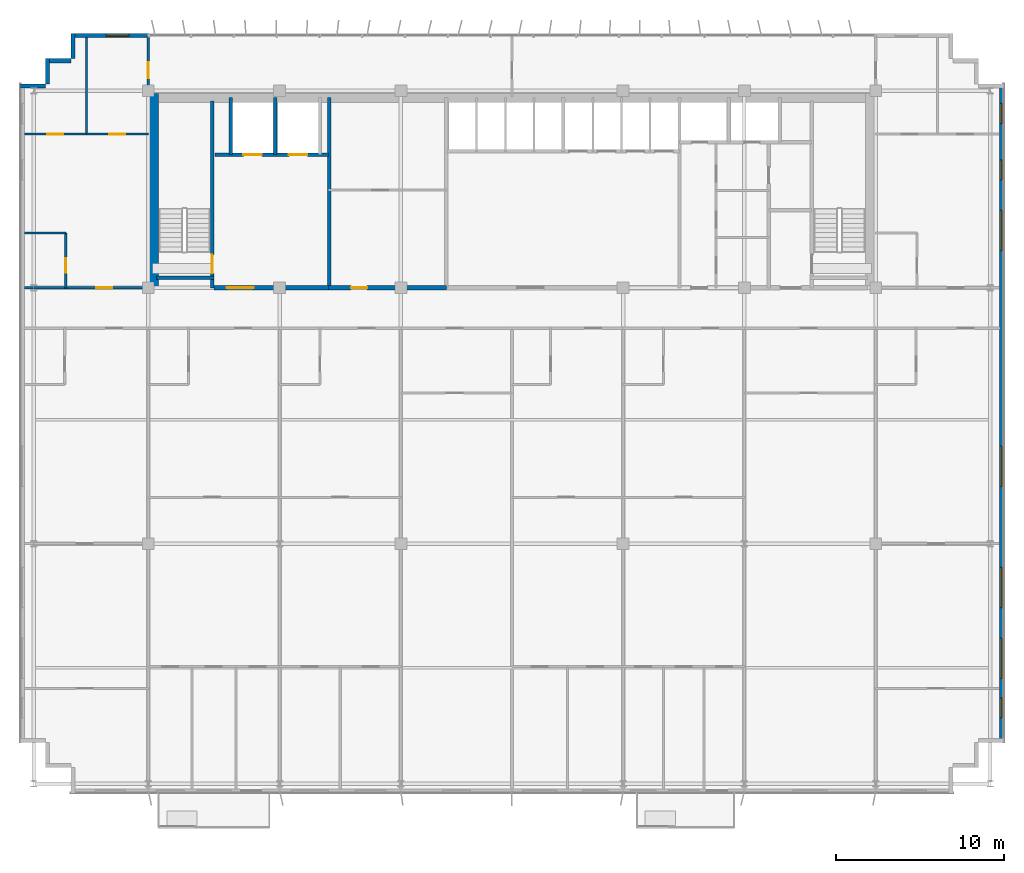
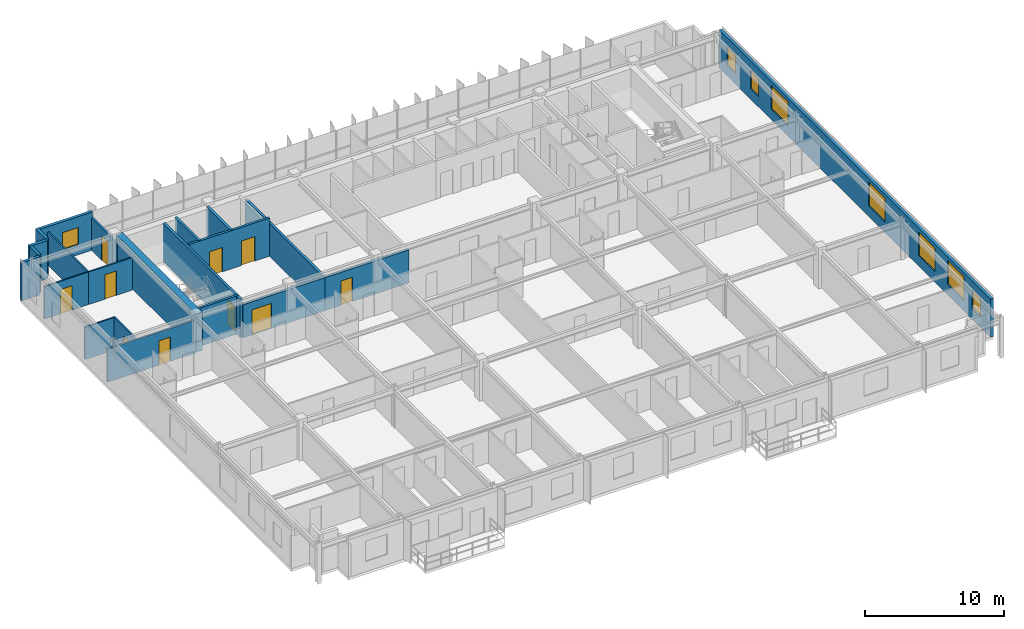
# One storey, part 19 of 23: 22 walls, 10 doors, 8 windows, 18 openings.
"""IFC4 building model written with IfcOpenShell, lengths in metres."""

from ifc_helpers import new_model, si_unit, direction, frame, frame_2d, origin, place, context, subcontext, project, spatial, rectangle, extrude, source, transform, mapped, material, layer, layer_set, type_object, element, fill, save


model = new_model("IFC4")

# Units and contexts
model_context = context("Model", 3, precision=1e-05, world=origin(), true_north=direction((0.0, 1.0)))
body_context = subcontext(model_context, "Body", "Model", "MODEL_VIEW")
ifc_project = project(units=[si_unit("LENGTHUNIT", "METRE"), si_unit("AREAUNIT", "SQUARE_METRE"), si_unit("VOLUMEUNIT", "CUBIC_METRE"), si_unit("PLANEANGLEUNIT", "RADIAN"), si_unit("MASSUNIT", "GRAM", prefix="KILO")], contexts=[model_context])

# Site, building, storey
site_placement = place(None, origin())
site = spatial("IfcSite", under=ifc_project, at=site_placement, CompositionType="ELEMENT")
building_placement = place(site_placement, origin())
building = spatial("IfcBuilding", under=site, at=building_placement, Name="Trelvane Seafront Commons", CompositionType="ELEMENT")
storey_placement = place(building_placement, frame((0.0, 0.0, 219.300048828125)))
storey = spatial("IfcBuildingStorey", under=building, at=storey_placement, Name="L57", CompositionType="ELEMENT", Elevation=219.300048828125)

# Wall, opening, window
ifc_material_1 = material(Name="Precast concrete C40/50", Category="concrete")
ifc_layer_1 = layer(ifc_material_1, 0.239990234375, Name="ARCH-WALL-EXT240")
ifc_layer_set_1 = layer_set([ifc_layer_1], Name="Precast concrete C40/50")
wall_type_1 = type_object("IfcWallType", Name="ARCH-WALL-EXT240", PredefinedType="SOLIDWALL", material=ifc_layer_set_1)
wall_1_placement = place(storey_placement, frame((11.10009765625, 48.3701171875, 0.0), z_axis=(0.0, 0.0, 1.0), x_axis=(1.0, 0.0, 0.0)))
wall_1 = element("IfcWall", 1, at=wall_1_placement, inside=storey, type_object=wall_type_1, Name="EW-L57-NW-1141", PredefinedType="SOLIDWALL", context=body_context, shape_type="SweptSolid", body=[
    extrude(rectangle(XDim=4.5, YDim=0.239990234375, at=frame_2d((2.25, 0.0))), origin(), (0.0, 0.0, 1.0), 3.35986328125),
])
opening_1_placement = place(wall_1_placement, frame((2.0029296875, 0.0, 0.89990234375)))
opening_1 = element("IfcOpeningElement", 2, at=opening_1_placement, cuts=wall_1, Name="Opening W09", PredefinedType="OPENING", context=body_context, shape_type="SweptSolid", body=[
    extrude(rectangle(XDim=1.35009765625, YDim=1.5, at=frame_2d((0.675048828125, 0.75))), frame((0.0, 0.1298828125, 0.0), z_axis=(0.0, -1.0, 0.0), x_axis=(1.0, 0.0, 0.0)), (0.0, 0.0, 1.0), 0.260009765625),
])
ifc_material_2 = material(Name="Low-E coastal double glazing", Category="glass")
window_type_1 = type_object("IfcWindowType", Name="ARCH-WIN-W09", PartitioningType="SINGLE_PANEL", PredefinedType="WINDOW", material=ifc_material_2)
shared_shape_1 = source(origin(), body_context, "Body", "SweptSolid", [
    extrude(rectangle(XDim=1.35009765625, YDim=1.5, at=frame_2d((0.675048828125, 0.75))), frame((0.0, 0.030029296875, 0.0), z_axis=(0.0, -1.0, 0.0), x_axis=(1.0, 0.0, 0.0)), (0.0, 0.0, 1.0), 0.06005859375),
])
window_1_placement = place(opening_1_placement, origin())
window_1 = element("IfcWindow", 3, at=window_1_placement, inside=storey, type_object=window_type_1, Name="WIN-L57-01382", OverallHeight=1.5, OverallWidth=1.35009765625, PartitioningType="SINGLE_PANEL", PredefinedType="WINDOW", context=body_context, shape_type="MappedRepresentation", body=[
    mapped(shared_shape_1, transform((0.0, 0.0, 0.0), x_axis=(1.0, 0.0, 0.0), y_axis=(0.0, 1.0, 0.0), z_axis=(0.0, 0.0, 1.0), scale=1.0)),
])
fill(opening_1, window_1)

# Walls
for number, where, z_axis, x_axis, name in (
    (4, (8.0, 45.3798828125, 0.0), (0.0, 0.0, 1.0), (1.0, 0.0, 0.0), "EW-L57-01147"),
    (5, (9.6201171875, 45.5, 0.0), (0.0, 0.0, 1.0), (0.0, 1.0, 0.0), "EW-L57-01148"),
    (6, (9.5, 46.8798828125, 0.0), (0.0, 0.0, 1.0), (1.0, 0.0, 0.0), "EW-L57-01149"),
    (7, (11.1201171875, 47.0, 0.0), (0.0, 0.0, 1.0), (0.0, 1.0, 0.0), "EW-L57-01150"),
):
    element("IfcWall", number, at=place(storey_placement, frame(where, z_axis=z_axis, x_axis=x_axis)), inside=storey, type_object=wall_type_1, Name=name, PredefinedType="SOLIDWALL", context=body_context, shape_type="SweptSolid", body=[
        extrude(rectangle(XDim=1.5, YDim=0.239990234375, at=frame_2d((0.75, 0.0))), origin(), (0.0, 0.0, 1.0), 3.35986328125),
    ])

# Wall, openings, windows
wall_2_placement = place(storey_placement, frame((66.280029296875, 45.5, 0.0), z_axis=(0.0, 0.0, 1.0), x_axis=(0.0, -1.0, 0.0)))
wall_2 = element("IfcWall", 8, at=wall_2_placement, inside=storey, type_object=wall_type_1, Name="EW-L57-01155", PredefinedType="SOLIDWALL", context=body_context, shape_type="SweptSolid", body=[
    extrude(rectangle(XDim=39.10009765625, YDim=0.239990234375, at=frame_2d((19.550048828125, 0.0))), origin(), (0.0, 0.0, 1.0), 3.35986328125),
])
opening_2_placement = place(wall_2_placement, frame((36.449951171875, 0.0, 0.919921875)))
opening_2 = element("IfcOpeningElement", 9, at=opening_2_placement, cuts=wall_2, Name="Opening W05", PredefinedType="OPENING", context=body_context, shape_type="SweptSolid", body=[
    extrude(rectangle(XDim=1.199951171875, YDim=1.64990234375, at=frame_2d((0.60009765625, 0.824951171875))), frame((0.0, 0.1298828125, 0.0), z_axis=(0.0, -1.0, 0.0), x_axis=(1.0, 0.0, 0.0)), (0.0, 0.0, 1.0), 0.260009765625),
])
opening_3_placement = place(wall_2_placement, frame((32.89990234375, 0.0, 0.919921875)))
opening_3 = element("IfcOpeningElement", 10, at=opening_3_placement, cuts=wall_2, Name="Opening W08", PredefinedType="OPENING", context=body_context, shape_type="SweptSolid", body=[
    extrude(rectangle(XDim=2.39990234375, YDim=2.10009765625, at=frame_2d((1.199951171875, 1.050048828125))), frame((0.0, 0.1298828125, 0.0), z_axis=(0.0, -1.0, 0.0), x_axis=(1.0, 0.0, 0.0)), (0.0, 0.0, 1.0), 0.260009765625),
])
opening_4_placement = place(wall_2_placement, frame((28.699951171875, 0.0, 0.919921875)))
opening_4 = element("IfcOpeningElement", 11, at=opening_4_placement, cuts=wall_2, Name="Opening W08", PredefinedType="OPENING", context=body_context, shape_type="SweptSolid", body=[
    extrude(rectangle(XDim=2.39990234375, YDim=2.10009765625, at=frame_2d((1.199951171875, 1.050048828125))), frame((0.0, 0.1298828125, 0.0), z_axis=(0.0, -1.0, 0.0), x_axis=(1.0, 0.0, 0.0)), (0.0, 0.0, 1.0), 0.260009765625),
])
opening_5_placement = place(wall_2_placement, frame((21.5, 0.0, 0.919921875)))
opening_5 = element("IfcOpeningElement", 12, at=opening_5_placement, cuts=wall_2, Name="Opening W08", PredefinedType="OPENING", context=body_context, shape_type="SweptSolid", body=[
    extrude(rectangle(XDim=2.39990234375, YDim=2.10009765625, at=frame_2d((1.199951171875, 1.050048828125))), frame((0.0, 0.1298828125, 0.0), z_axis=(0.0, -1.0, 0.0), x_axis=(1.0, 0.0, 0.0)), (0.0, 0.0, 1.0), 0.260009765625),
])
opening_6_placement = place(wall_2_placement, frame((7.5, 0.0, 0.919921875)))
opening_6 = element("IfcOpeningElement", 13, at=opening_6_placement, cuts=wall_2, Name="Opening W08", PredefinedType="OPENING", context=body_context, shape_type="SweptSolid", body=[
    extrude(rectangle(XDim=2.39990234375, YDim=2.10009765625, at=frame_2d((1.199951171875, 1.050048828125))), frame((0.0, 0.1298828125, 0.0), z_axis=(0.0, -1.0, 0.0), x_axis=(1.0, 0.0, 0.0)), (0.0, 0.0, 1.0), 0.260009765625),
])
opening_7_placement = place(wall_2_placement, frame((4.5, 0.0, 0.919921875)))
opening_7 = element("IfcOpeningElement", 14, at=opening_7_placement, cuts=wall_2, Name="Opening W05", PredefinedType="OPENING", context=body_context, shape_type="SweptSolid", body=[
    extrude(rectangle(XDim=1.199951171875, YDim=1.64990234375, at=frame_2d((0.60009765625, 0.824951171875))), frame((0.0, 0.1298828125, 0.0), z_axis=(0.0, -1.0, 0.0), x_axis=(1.0, 0.0, 0.0)), (0.0, 0.0, 1.0), 0.260009765625),
])
opening_8_placement = place(wall_2_placement, frame((1.14990234375, 0.0, 0.919921875)))
opening_8 = element("IfcOpeningElement", 15, at=opening_8_placement, cuts=wall_2, Name="Opening W05", PredefinedType="OPENING", context=body_context, shape_type="SweptSolid", body=[
    extrude(rectangle(XDim=1.199951171875, YDim=1.64990234375, at=frame_2d((0.60009765625, 0.824951171875))), frame((0.0, 0.1298828125, 0.0), z_axis=(0.0, -1.0, 0.0), x_axis=(1.0, 0.0, 0.0)), (0.0, 0.0, 1.0), 0.260009765625),
])
window_type_2 = type_object("IfcWindowType", Name="ARCH-WIN-W08", PartitioningType="SINGLE_PANEL", PredefinedType="WINDOW", material=ifc_material_2)
shared_shape_2 = source(origin(), body_context, "Body", "SweptSolid", [
    extrude(rectangle(XDim=2.39990234375, YDim=2.10009765625, at=frame_2d((1.199951171875, 1.050048828125))), frame((0.0, 0.030029296875, 0.0), z_axis=(0.0, -1.0, 0.0), x_axis=(1.0, 0.0, 0.0)), (0.0, 0.0, 1.0), 0.06005859375),
])
window_2_placement = place(opening_3_placement, origin())
window_2 = element("IfcWindow", 16, at=window_2_placement, inside=storey, type_object=window_type_2, Name="WIN-L57-EW-01391", OverallHeight=2.10009765625, OverallWidth=2.39990234375, PartitioningType="SINGLE_PANEL", PredefinedType="WINDOW", context=body_context, shape_type="MappedRepresentation", body=[
    mapped(shared_shape_2, transform((0.0, 0.0, 0.0), x_axis=(1.0, 0.0, 0.0), y_axis=(0.0, 1.0, 0.0), z_axis=(0.0, 0.0, 1.0), scale=1.0)),
])
fill(opening_3, window_2)
window_3_placement = place(opening_4_placement, origin())
window_3 = element("IfcWindow", 17, at=window_3_placement, inside=storey, type_object=window_type_2, Name="WIN-L57-EW-01392", OverallHeight=2.10009765625, OverallWidth=2.39990234375, PartitioningType="SINGLE_PANEL", PredefinedType="WINDOW", context=body_context, shape_type="MappedRepresentation", body=[
    mapped(shared_shape_2, transform((0.0, 0.0, 0.0), x_axis=(1.0, 0.0, 0.0), y_axis=(0.0, 1.0, 0.0), z_axis=(0.0, 0.0, 1.0), scale=1.0)),
])
fill(opening_4, window_3)
window_4_placement = place(opening_5_placement, origin())
window_4 = element("IfcWindow", 18, at=window_4_placement, inside=storey, type_object=window_type_2, Name="WIN-L57-EW-01393", OverallHeight=2.10009765625, OverallWidth=2.39990234375, PartitioningType="SINGLE_PANEL", PredefinedType="WINDOW", context=body_context, shape_type="MappedRepresentation", body=[
    mapped(shared_shape_2, transform((0.0, 0.0, 0.0), x_axis=(1.0, 0.0, 0.0), y_axis=(0.0, 1.0, 0.0), z_axis=(0.0, 0.0, 1.0), scale=1.0)),
])
fill(opening_5, window_4)
window_5_placement = place(opening_6_placement, origin())
window_5 = element("IfcWindow", 19, at=window_5_placement, inside=storey, type_object=window_type_2, Name="WIN-L57-EW-01394", OverallHeight=2.10009765625, OverallWidth=2.39990234375, PartitioningType="SINGLE_PANEL", PredefinedType="WINDOW", context=body_context, shape_type="MappedRepresentation", body=[
    mapped(shared_shape_2, transform((0.0, 0.0, 0.0), x_axis=(1.0, 0.0, 0.0), y_axis=(0.0, 1.0, 0.0), z_axis=(0.0, 0.0, 1.0), scale=1.0)),
])
fill(opening_6, window_5)
window_type_3 = type_object("IfcWindowType", Name="ARCH-WIN-W05", PartitioningType="SINGLE_PANEL", PredefinedType="WINDOW", material=ifc_material_2)
shared_shape_3 = source(origin(), body_context, "Body", "SweptSolid", [
    extrude(rectangle(XDim=1.199951171875, YDim=1.64990234375, at=frame_2d((0.60009765625, 0.824951171875))), frame((0.0, 0.030029296875, 0.0), z_axis=(0.0, -1.0, 0.0), x_axis=(1.0, 0.0, 0.0)), (0.0, 0.0, 1.0), 0.06005859375),
])
window_6_placement = place(opening_2_placement, origin())
window_6 = element("IfcWindow", 20, at=window_6_placement, inside=storey, type_object=window_type_3, Name="WIN-L57-EW-01390", OverallHeight=1.64990234375, OverallWidth=1.199951171875, PartitioningType="SINGLE_PANEL", PredefinedType="WINDOW", context=body_context, shape_type="MappedRepresentation", body=[
    mapped(shared_shape_3, transform((0.0, 0.0, 0.0), x_axis=(1.0, 0.0, 0.0), y_axis=(0.0, 1.0, 0.0), z_axis=(0.0, 0.0, 1.0), scale=1.0)),
])
fill(opening_2, window_6)
window_7_placement = place(opening_7_placement, origin())
window_7 = element("IfcWindow", 21, at=window_7_placement, inside=storey, type_object=window_type_3, Name="WIN-L57-EW-01395", OverallHeight=1.64990234375, OverallWidth=1.199951171875, PartitioningType="SINGLE_PANEL", PredefinedType="WINDOW", context=body_context, shape_type="MappedRepresentation", body=[
    mapped(shared_shape_3, transform((0.0, 0.0, 0.0), x_axis=(1.0, 0.0, 0.0), y_axis=(0.0, 1.0, 0.0), z_axis=(0.0, 0.0, 1.0), scale=1.0)),
])
fill(opening_7, window_7)
window_8_placement = place(opening_8_placement, origin())
window_8 = element("IfcWindow", 22, at=window_8_placement, inside=storey, type_object=window_type_3, Name="WIN-L57-EW-01396", OverallHeight=1.64990234375, OverallWidth=1.199951171875, PartitioningType="SINGLE_PANEL", PredefinedType="WINDOW", context=body_context, shape_type="MappedRepresentation", body=[
    mapped(shared_shape_3, transform((0.0, 0.0, 0.0), x_axis=(1.0, 0.0, 0.0), y_axis=(0.0, 1.0, 0.0), z_axis=(0.0, 0.0, 1.0), scale=1.0)),
])
fill(opening_8, window_8)

# Wall, opening, door
ifc_material_3 = material(Name="Concrete C40/50", Category="concrete")
ifc_layer_2 = layer(ifc_material_3, 0.25, Name="ARCH-WALL-FIRE250")
ifc_layer_set_2 = layer_set([ifc_layer_2], Name="Concrete C40/50")
wall_type_2 = type_object("IfcWallType", Name="ARCH-WALL-FIRE250", PredefinedType="PARTITIONING", material=ifc_layer_set_2)
wall_3_placement = place(storey_placement, frame((19.5, 33.39990234375, 0.0), z_axis=(0.0, 0.0, 1.0), x_axis=(1.0, 0.0, 0.0)))
wall_3 = element("IfcWall", 23, at=wall_3_placement, inside=storey, type_object=wall_type_2, Name="W-L57-CS-FFL-013", PredefinedType="PARTITIONING", context=body_context, shape_type="SweptSolid", body=[
    extrude(rectangle(XDim=6.800048828125, YDim=0.25, at=frame_2d((3.39990234375, 0.0))), origin(), (0.0, 0.0, 1.0), 2.909912109375),
])
opening_9_placement = place(wall_3_placement, frame((0.75, 0.0, 0.0)))
opening_9 = element("IfcOpeningElement", 24, at=opening_9_placement, cuts=wall_3, Name="Opening FD-L57-05", PredefinedType="OPENING", context=body_context, shape_type="SweptSolid", body=[
    extrude(rectangle(XDim=1.60009765625, YDim=2.199951171875, at=frame_2d((0.800048828125, 1.10009765625))), frame((0.0, 0.135009765625, 0.0), z_axis=(0.0, -1.0, 0.0), x_axis=(1.0, 0.0, 0.0)), (0.0, 0.0, 1.0), 0.27001953125),
])
ifc_material_4 = material(Name="Powder-coated aluminium frame", Category="aluminium")
door_type_1 = type_object("IfcDoorType", Name="ARCH-DR-FD60-1600", OperationType="DOUBLE_DOOR_SINGLE_SWING", PredefinedType="DOOR", material=ifc_material_4)
shared_shape_4 = source(origin(), body_context, "Body", "SweptSolid", [
    extrude(rectangle(XDim=1.60009765625, YDim=2.199951171875, at=frame_2d((0.800048828125, 1.10009765625))), frame((0.0, 0.02490234375, 0.0), z_axis=(0.0, -1.0, 0.0), x_axis=(1.0, 0.0, 0.0)), (0.0, 0.0, 1.0), 0.050048828125),
])
door_1_placement = place(opening_9_placement, origin())
door_1 = element("IfcDoor", 25, at=door_1_placement, inside=storey, type_object=door_type_1, Name="L57 Firefighting Lift Lobby Double Fire Door", OperationType="DOUBLE_DOOR_SINGLE_SWING", OverallHeight=2.199951171875, OverallWidth=1.60009765625, PredefinedType="DOOR", context=body_context, shape_type="MappedRepresentation", body=[
    mapped(shared_shape_4, transform((0.0, 0.0, 0.0), x_axis=(1.0, 0.0, 0.0), y_axis=(0.0, 1.0, 0.0), z_axis=(0.0, 0.0, 1.0), scale=1.0)),
])
fill(opening_9, door_1)

wall_4_placement = place(storey_placement, frame((26.300048828125, 33.39990234375, 0.0), z_axis=(0.0, 0.0, 1.0), x_axis=(1.0, 0.0, 0.0)))
wall_4 = element("IfcWall", 26, at=wall_4_placement, inside=storey, type_object=wall_type_2, Name="W-L57-CS-FPL-026", PredefinedType="PARTITIONING", context=body_context, shape_type="SweptSolid", body=[
    extrude(rectangle(XDim=7.0, YDim=0.25, at=frame_2d((3.5, 0.0))), origin(), (0.0, 0.0, 1.0), 2.909912109375),
])
opening_10_placement = place(wall_4_placement, frame((1.35009765625, 0.0, 0.0)))
opening_10 = element("IfcOpeningElement", 27, at=opening_10_placement, cuts=wall_4, Name="Opening D-L57-11", PredefinedType="OPENING", context=body_context, shape_type="SweptSolid", body=[
    extrude(rectangle(XDim=0.949951171875, YDim=2.14990234375, at=frame_2d((0.47509765625, 1.074951171875))), frame((0.0, 0.135009765625, 0.0), z_axis=(0.0, -1.0, 0.0), x_axis=(1.0, 0.0, 0.0)), (0.0, 0.0, 1.0), 0.27001953125),
])
ifc_material_5 = material(Name="Acoustic timber door leaf", Category="wood")
door_type_2 = type_object("IfcDoorType", Name="ARCH-DR-INT950", OperationType="NOTDEFINED", PredefinedType="DOOR", material=ifc_material_5)
shared_shape_5 = source(origin(), body_context, "Body", "SweptSolid", [
    extrude(rectangle(XDim=0.949951171875, YDim=2.14990234375, at=frame_2d((0.47509765625, 1.074951171875))), frame((0.0, 0.02490234375, 0.0), z_axis=(0.0, -1.0, 0.0), x_axis=(1.0, 0.0, 0.0)), (0.0, 0.0, 1.0), 0.050048828125),
])
door_2_placement = place(opening_10_placement, origin())
door_2 = element("IfcDoor", 28, at=door_2_placement, inside=storey, type_object=door_type_2, Name="L57 Floor Pantry Entrance Door", OperationType="SINGLE_SWING_LEFT", OverallHeight=2.14990234375, OverallWidth=0.949951171875, PredefinedType="DOOR", context=body_context, shape_type="MappedRepresentation", body=[
    mapped(shared_shape_5, transform((0.0, 0.0, 0.0), x_axis=(1.0, 0.0, 0.0), y_axis=(0.0, 1.0, 0.0), z_axis=(0.0, 0.0, 1.0), scale=1.0)),
])
fill(opening_10, door_2)

ifc_material_6 = material(Name="Gypsum Drywall Acoustic Partition")
ifc_layer_3 = layer(ifc_material_6, 0.1201171875, Name="ARCH-WALL-PART120")
ifc_layer_set_3 = layer_set([ifc_layer_3], Name="Gypsum Drywall Acoustic Partition")
wall_type_3 = type_object("IfcWallType", Name="ARCH-WALL-PART120", PredefinedType="PARTITIONING", material=ifc_layer_set_3)
wall_5_placement = place(storey_placement, frame((10.699951171875, 33.39990234375, 0.0), z_axis=(0.0, 0.0, 1.0), x_axis=(0.0, 1.0, 0.0)))
wall_5 = element("IfcWall", 29, at=wall_5_placement, inside=storey, type_object=wall_type_3, Name="W-L57-NW-BE-037", PredefinedType="PARTITIONING", context=body_context, shape_type="SweptSolid", body=[
    extrude(rectangle(XDim=3.25, YDim=0.1201171875, at=frame_2d((1.625, 0.0))), origin(), (0.0, 0.0, 1.0), 2.909912109375),
])
opening_11_placement = place(wall_5_placement, frame((0.89990234375, 0.0, 0.0)))
opening_11 = element("IfcOpeningElement", 30, at=opening_11_placement, cuts=wall_5, Name="Opening D-L57-21", PredefinedType="OPENING", context=body_context, shape_type="SweptSolid", body=[
    extrude(rectangle(XDim=0.85009765625, YDim=2.10009765625, at=frame_2d((0.425048828125, 1.050048828125))), frame((0.0, 0.070068359375, 0.0), z_axis=(0.0, -1.0, 0.0), x_axis=(1.0, 0.0, 0.0)), (0.0, 0.0, 1.0), 0.14013671875),
])
door_type_3 = type_object("IfcDoorType", Name="ARCH-DR-INT850", OperationType="NOTDEFINED", PredefinedType="DOOR", material=ifc_material_5)
shared_shape_6 = source(origin(), body_context, "Body", "SweptSolid", [
    extrude(rectangle(XDim=0.85009765625, YDim=2.10009765625, at=frame_2d((0.425048828125, 1.050048828125))), frame((0.0, 0.02490234375, 0.0), z_axis=(0.0, -1.0, 0.0), x_axis=(1.0, 0.0, 0.0)), (0.0, 0.0, 1.0), 0.050048828125),
])
door_3_placement = place(opening_11_placement, origin())
door_3 = element("IfcDoor", 31, at=door_3_placement, inside=storey, type_object=door_type_3, Name="L57 Door 21", OperationType="SINGLE_SWING_LEFT", OverallHeight=2.10009765625, OverallWidth=0.85009765625, PredefinedType="DOOR", context=body_context, shape_type="MappedRepresentation", body=[
    mapped(shared_shape_6, transform((0.0, 0.0, 0.0), x_axis=(1.0, 0.0, 0.0), y_axis=(0.0, 1.0, 0.0), z_axis=(0.0, 0.0, 1.0), scale=1.0)),
])
fill(opening_11, door_3)

# Wall
wall_6_placement = place(storey_placement, frame((8.25, 36.64990234375, 0.0), z_axis=(0.0, 0.0, 1.0), x_axis=(1.0, 0.0, 0.0)))
element("IfcWall", 32, at=wall_6_placement, inside=storey, type_object=wall_type_3, Name="W-L57-NW-BN-038", PredefinedType="PARTITIONING", context=body_context, shape_type="SweptSolid", body=[
    extrude(rectangle(XDim=2.449951171875, YDim=0.1201171875, at=frame_2d((1.22509765625, 0.0))), origin(), (0.0, 0.0, 1.0), 2.85986328125),
])

# Wall, opening, door
wall_7_placement = place(storey_placement, frame((8.25, 42.52001953125, 0.0), z_axis=(0.0, 0.0, 1.0), x_axis=(1.0, 0.0, 0.0)))
wall_7 = element("IfcWall", 33, at=wall_7_placement, inside=storey, type_object=wall_type_3, Name="W-L57-NW-KB1-039", PredefinedType="PARTITIONING", context=body_context, shape_type="SweptSolid", body=[
    extrude(rectangle(XDim=3.675048828125, YDim=0.1201171875, at=frame_2d((1.83740234375, 0.0))), origin(), (0.0, 0.0, 1.0), 2.85986328125),
])
opening_12_placement = place(wall_7_placement, frame((1.363037109375, 0.0, 0.0)))
opening_12 = element("IfcOpeningElement", 34, at=opening_12_placement, cuts=wall_7, Name="Opening D-L57-22", PredefinedType="OPENING", context=body_context, shape_type="SweptSolid", body=[
    extrude(rectangle(XDim=0.949951171875, YDim=2.14990234375, at=frame_2d((0.47509765625, 1.074951171875))), frame((0.0, 0.070068359375, 0.0), z_axis=(0.0, -1.0, 0.0), x_axis=(1.0, 0.0, 0.0)), (0.0, 0.0, 1.0), 0.14013671875),
])
door_4_placement = place(opening_12_placement, origin())
door_4 = element("IfcDoor", 35, at=door_4_placement, inside=storey, type_object=door_type_2, Name="L57 Door 22", OperationType="SINGLE_SWING_RIGHT", OverallHeight=2.14990234375, OverallWidth=0.949951171875, PredefinedType="DOOR", context=body_context, shape_type="MappedRepresentation", body=[
    mapped(shared_shape_5, transform((0.0, 0.0, 0.0), x_axis=(1.0, 0.0, 0.0), y_axis=(0.0, 1.0, 0.0), z_axis=(0.0, 0.0, 1.0), scale=1.0)),
])
fill(opening_12, door_4)

wall_8_placement = place(storey_placement, frame((11.925048828125, 42.52001953125, 0.0), z_axis=(0.0, 0.0, 1.0), x_axis=(1.0, 0.0, 0.0)))
wall_8 = element("IfcWall", 36, at=wall_8_placement, inside=storey, type_object=wall_type_3, Name="W-L57-NW-KB2-040", PredefinedType="PARTITIONING", context=body_context, shape_type="SweptSolid", body=[
    extrude(rectangle(XDim=3.675048828125, YDim=0.1201171875, at=frame_2d((1.83740234375, 0.0))), origin(), (0.0, 0.0, 1.0), 2.85986328125),
])
opening_13_placement = place(wall_8_placement, frame((1.362060546875, 0.0, 0.0)))
opening_13 = element("IfcOpeningElement", 37, at=opening_13_placement, cuts=wall_8, Name="Opening D-L57-23", PredefinedType="OPENING", context=body_context, shape_type="SweptSolid", body=[
    extrude(rectangle(XDim=0.949951171875, YDim=2.14990234375, at=frame_2d((0.47509765625, 1.074951171875))), frame((0.0, 0.070068359375, 0.0), z_axis=(0.0, -1.0, 0.0), x_axis=(1.0, 0.0, 0.0)), (0.0, 0.0, 1.0), 0.14013671875),
])
door_5_placement = place(opening_13_placement, origin())
door_5 = element("IfcDoor", 38, at=door_5_placement, inside=storey, type_object=door_type_2, Name="L57 Door 23", OperationType="SINGLE_SWING_LEFT", OverallHeight=2.14990234375, OverallWidth=0.949951171875, PredefinedType="DOOR", context=body_context, shape_type="MappedRepresentation", body=[
    mapped(shared_shape_5, transform((0.0, 0.0, 0.0), x_axis=(1.0, 0.0, 0.0), y_axis=(0.0, 1.0, 0.0), z_axis=(0.0, 0.0, 1.0), scale=1.0)),
])
fill(opening_13, door_5)

# Wall
wall_9_placement = place(storey_placement, frame((11.925048828125, 42.52001953125, 0.0), z_axis=(0.0, 0.0, 1.0), x_axis=(0.0, 1.0, 0.0)))
element("IfcWall", 39, at=wall_9_placement, inside=storey, type_object=wall_type_3, Name="W-L57-NW-KBDV-041", PredefinedType="PARTITIONING", context=body_context, shape_type="SweptSolid", body=[
    extrude(rectangle(XDim=5.739990234375, YDim=0.1201171875, at=frame_2d((2.8701171875, 0.0))), origin(), (0.0, 0.0, 1.0), 2.909912109375),
])

# Wall, opening, door
ifc_layer_4 = layer(ifc_material_6, 0.14990234375, Name="ARCH-WALL-PART150")
ifc_layer_set_4 = layer_set([ifc_layer_4], Name="Gypsum Drywall Acoustic Partition")
wall_type_4 = type_object("IfcWallType", Name="ARCH-WALL-PART150", PredefinedType="PARTITIONING", material=ifc_layer_set_4)
wall_10_placement = place(storey_placement, frame((8.25, 33.39990234375, 0.0), z_axis=(0.0, 0.0, 1.0), x_axis=(1.0, 0.0, 0.0)))
wall_10 = element("IfcWall", 40, at=wall_10_placement, inside=storey, type_object=wall_type_4, Name="W-L57-NW-ENT-042", PredefinedType="PARTITIONING", context=body_context, shape_type="SweptSolid", body=[
    extrude(rectangle(XDim=7.35009765625, YDim=0.14990234375, at=frame_2d((3.675048828125, 0.0))), origin(), (0.0, 0.0, 1.0), 2.909912109375),
])
opening_14_placement = place(wall_10_placement, frame((4.27490234375, 0.0, 0.0)))
opening_14 = element("IfcOpeningElement", 41, at=opening_14_placement, cuts=wall_10, Name="Opening FD-L57-24", PredefinedType="OPENING", context=body_context, shape_type="SweptSolid", body=[
    extrude(rectangle(XDim=0.949951171875, YDim=2.14990234375, at=frame_2d((0.47509765625, 1.074951171875))), frame((0.0, 0.0849609375, 0.0), z_axis=(0.0, -1.0, 0.0), x_axis=(1.0, 0.0, 0.0)), (0.0, 0.0, 1.0), 0.169921875),
])
door_type_4 = type_object("IfcDoorType", Name="ARCH-DR-FD60-950", OperationType="NOTDEFINED", PredefinedType="DOOR", material=ifc_material_4)
door_6_placement = place(opening_14_placement, origin())
door_6 = element("IfcDoor", 42, at=door_6_placement, inside=storey, type_object=door_type_4, Name="L57 NW Flat Entrance Door", OperationType="SINGLE_SWING_RIGHT", OverallHeight=2.14990234375, OverallWidth=0.949951171875, PredefinedType="DOOR", context=body_context, shape_type="MappedRepresentation", body=[
    mapped(shared_shape_5, transform((0.0, 0.0, 0.0), x_axis=(1.0, 0.0, 0.0), y_axis=(0.0, 1.0, 0.0), z_axis=(0.0, 0.0, 1.0), scale=1.0)),
])
fill(opening_14, door_6)

wall_11_placement = place(storey_placement, frame((15.60009765625, 44.75, 0.0), z_axis=(0.0, 0.0, 1.0), x_axis=(0.0, 1.0, 0.0)))
wall_11 = element("IfcWall", 43, at=wall_11_placement, inside=storey, type_object=wall_type_4, Name="W-L57-N-LINK-W-050", PredefinedType="PARTITIONING", context=body_context, shape_type="SweptSolid", body=[
    extrude(rectangle(XDim=3.610107421875, YDim=0.14990234375, at=frame_2d((1.80517578125, 0.0))), origin(), (0.0, 0.0, 1.0), 2.85986328125),
])
opening_15_placement = place(wall_11_placement, frame((1.10009765625, 0.0, 0.0)))
opening_15 = element("IfcOpeningElement", 44, at=opening_15_placement, cuts=wall_11, Name="Opening FD-L57-30", PredefinedType="OPENING", context=body_context, shape_type="SweptSolid", body=[
    extrude(rectangle(XDim=0.949951171875, YDim=2.14990234375, at=frame_2d((0.47509765625, 1.074951171875))), frame((0.0, 0.0849609375, 0.0), z_axis=(0.0, -1.0, 0.0), x_axis=(1.0, 0.0, 0.0)), (0.0, 0.0, 1.0), 0.169921875),
])
door_7_placement = place(opening_15_placement, origin())
door_7 = element("IfcDoor", 45, at=door_7_placement, inside=storey, type_object=door_type_4, Name="L57 Door 30", OperationType="SINGLE_SWING_RIGHT", OverallHeight=2.14990234375, OverallWidth=0.949951171875, PredefinedType="DOOR", context=body_context, shape_type="MappedRepresentation", body=[
    mapped(shared_shape_5, transform((0.0, 0.0, 0.0), x_axis=(1.0, 0.0, 0.0), y_axis=(0.0, 1.0, 0.0), z_axis=(0.0, 0.0, 1.0), scale=1.0)),
])
fill(opening_15, door_7)

# Wall, openings, doors
ifc_layer_5 = layer(ifc_material_3, 0.199951171875, Name="ARCH-WALL-SHAFT200")
ifc_layer_set_5 = layer_set([ifc_layer_5], Name="Concrete C40/50")
wall_type_5 = type_object("IfcWallType", Name="ARCH-WALL-SHAFT200", PredefinedType="SOLIDWALL", material=ifc_layer_set_5)
wall_12_placement = place(storey_placement, frame((19.550048828125, 41.300048828125, 0.0), z_axis=(0.0, 0.0, 1.0), x_axis=(1.0, 0.0, 0.0)))
wall_12 = element("IfcWall", 46, at=wall_12_placement, inside=storey, type_object=wall_type_5, Name="W-L57-FFL-FRONT-008", PredefinedType="SOLIDWALL", context=body_context, shape_type="SweptSolid", body=[
    extrude(rectangle(XDim=6.75, YDim=0.199951171875, at=frame_2d((3.375, 0.0))), origin(), (0.0, 0.0, 1.0), 3.35986328125),
])
opening_16_placement = place(wall_12_placement, frame((1.699951171875, 0.0, 0.0)))
opening_16 = element("IfcOpeningElement", 47, at=opening_16_placement, cuts=wall_12, Name="Opening LD-FF1-L57", PredefinedType="OPENING", context=body_context, shape_type="SweptSolid", body=[
    extrude(rectangle(XDim=1.10009765625, YDim=2.14990234375, at=frame_2d((0.550048828125, 1.074951171875))), frame((0.0, 0.10986328125, 0.0), z_axis=(0.0, -1.0, 0.0), x_axis=(1.0, 0.0, 0.0)), (0.0, 0.0, 1.0), 0.219970703125),
])
opening_17_placement = place(wall_12_placement, frame((4.39990234375, 0.0, 0.0)))
opening_17 = element("IfcOpeningElement", 48, at=opening_17_placement, cuts=wall_12, Name="Opening LD-FF2-L57", PredefinedType="OPENING", context=body_context, shape_type="SweptSolid", body=[
    extrude(rectangle(XDim=1.10009765625, YDim=2.14990234375, at=frame_2d((0.550048828125, 1.074951171875))), frame((0.0, 0.10986328125, 0.0), z_axis=(0.0, -1.0, 0.0), x_axis=(1.0, 0.0, 0.0)), (0.0, 0.0, 1.0), 0.219970703125),
])
ifc_material_7 = material(Name="Stainless steel balustrade", Category="steel")
door_type_5 = type_object("IfcDoorType", Name="ARCH-DR-LD1100", OperationType="DOUBLE_DOOR_SLIDING", PredefinedType="DOOR", material=ifc_material_7)
shared_shape_7 = source(origin(), body_context, "Body", "SweptSolid", [
    extrude(rectangle(XDim=1.10009765625, YDim=2.14990234375, at=frame_2d((0.550048828125, 1.074951171875))), frame((0.0, 0.02490234375, 0.0), z_axis=(0.0, -1.0, 0.0), x_axis=(1.0, 0.0, 0.0)), (0.0, 0.0, 1.0), 0.050048828125),
])
door_8_placement = place(opening_16_placement, origin())
door_8 = element("IfcDoor", 49, at=door_8_placement, inside=storey, type_object=door_type_5, Name="L57 Firefighting Lift FFL-1 Landing Door", OperationType="DOUBLE_DOOR_SLIDING", OverallHeight=2.14990234375, OverallWidth=1.10009765625, PredefinedType="DOOR", context=body_context, shape_type="MappedRepresentation", body=[
    mapped(shared_shape_7, transform((0.0, 0.0, 0.0), x_axis=(1.0, 0.0, 0.0), y_axis=(0.0, 1.0, 0.0), z_axis=(0.0, 0.0, 1.0), scale=1.0)),
])
fill(opening_16, door_8)
door_9_placement = place(opening_17_placement, origin())
door_9 = element("IfcDoor", 50, at=door_9_placement, inside=storey, type_object=door_type_5, Name="L57 Firefighting Lift FFL-2 Landing Door", OperationType="DOUBLE_DOOR_SLIDING", OverallHeight=2.14990234375, OverallWidth=1.10009765625, PredefinedType="DOOR", context=body_context, shape_type="MappedRepresentation", body=[
    mapped(shared_shape_7, transform((0.0, 0.0, 0.0), x_axis=(1.0, 0.0, 0.0), y_axis=(0.0, 1.0, 0.0), z_axis=(0.0, 0.0, 1.0), scale=1.0)),
])
fill(opening_17, door_9)

# Walls
for number, where, z_axis, x_axis, name in (
    (51, (20.5, 41.300048828125, 0.0), (0.0, 0.0, 1.0), (0.0, 1.0, 0.0), "W-L57-FFL-SH-W-009"),
    (52, (23.14990234375, 41.300048828125, 0.0), (0.0, 0.0, 1.0), (0.0, 1.0, 0.0), "W-L57-FFL-DIV-010"),
):
    element("IfcWall", number, at=place(storey_placement, frame(where, z_axis=z_axis, x_axis=x_axis)), inside=storey, type_object=wall_type_5, Name=name, PredefinedType="SOLIDWALL", context=body_context, shape_type="SweptSolid", body=[
        extrude(rectangle(XDim=3.39990234375, YDim=0.199951171875, at=frame_2d((1.699951171875, 0.0))), origin(), (0.0, 0.0, 1.0), 3.35986328125),
    ])
wall_13_placement = place(storey_placement, frame((26.35009765625, 33.39990234375, 0.0), z_axis=(0.0, 0.0, 1.0), x_axis=(0.0, 1.0, 0.0)))
element("IfcWall", 53, at=wall_13_placement, inside=storey, type_object=wall_type_5, Name="W-L57-FFL-EAST-012", PredefinedType="SOLIDWALL", context=body_context, shape_type="SweptSolid", body=[
    extrude(rectangle(XDim=11.300048828125, YDim=0.199951171875, at=frame_2d((5.64990234375, 0.0))), origin(), (0.0, 0.0, 1.0), 2.909912109375),
])
ifc_material_8 = material(Name="Concrete C50/60", Category="concrete")
ifc_layer_6 = layer(ifc_material_8, 0.550048828125, Name="STR-WALL-CORE550")
ifc_layer_set_6 = layer_set([ifc_layer_6], Name="Concrete C50/60")
wall_type_6 = type_object("IfcWallType", Name="STR-WALL-CORE550", PredefinedType="SHEAR", material=ifc_layer_set_6)
wall_14_placement = place(storey_placement, frame((15.925048828125, 33.39990234375, 0.0), z_axis=(0.0, 0.0, 1.0), x_axis=(0.0, 1.0, 0.0)))
element("IfcWall", 54, at=wall_14_placement, inside=storey, type_object=wall_type_6, Name="W-L57-CW-END-002", PredefinedType="SHEAR", context=body_context, shape_type="SweptSolid", body=[
    extrude(rectangle(XDim=11.550048828125, YDim=0.550048828125, at=frame_2d((5.77490234375, 0.0))), origin(), (0.0, 0.0, 1.0), 3.35986328125),
])
ifc_layer_7 = layer(ifc_material_8, 0.199951171875, Name="STR-WALL-STAIR200")
ifc_layer_set_7 = layer_set([ifc_layer_7], Name="Concrete C50/60")
wall_type_7 = type_object("IfcWallType", Name="STR-WALL-STAIR200", PredefinedType="SHEAR", material=ifc_layer_set_7)
wall_15_placement = place(storey_placement, frame((16.10009765625, 34.0, 0.0), z_axis=(0.0, 0.0, 1.0), x_axis=(1.0, 0.0, 0.0)))
element("IfcWall", 55, at=wall_15_placement, inside=storey, type_object=wall_type_7, Name="W-L57-ST1-S-004", PredefinedType="SHEAR", context=body_context, shape_type="SweptSolid", body=[
    extrude(rectangle(XDim=3.39990234375, YDim=0.199951171875, at=frame_2d((1.699951171875, 0.0))), origin(), (0.0, 0.0, 1.0), 3.35986328125),
])

# Wall, opening, door
wall_16_placement = place(storey_placement, frame((19.39990234375, 33.39990234375, 0.0), z_axis=(0.0, 0.0, 1.0), x_axis=(0.0, 1.0, 0.0)))
wall_16 = element("IfcWall", 56, at=wall_16_placement, inside=storey, type_object=wall_type_7, Name="W-L57-ST1-E-005", PredefinedType="SHEAR", context=body_context, shape_type="SweptSolid", body=[
    extrude(rectangle(XDim=11.10009765625, YDim=0.199951171875, at=frame_2d((5.550048828125, 0.0))), origin(), (0.0, 0.0, 1.0), 3.35986328125),
])
opening_18_placement = place(wall_16_placement, frame((0.85009765625, 0.0, 0.0)))
opening_18 = element("IfcOpeningElement", 57, at=opening_18_placement, cuts=wall_16, Name="Opening ST-D1-L57", PredefinedType="OPENING", context=body_context, shape_type="SweptSolid", body=[
    extrude(rectangle(XDim=1.10009765625, YDim=2.14990234375, at=frame_2d((0.550048828125, 1.074951171875))), frame((0.0, 0.10986328125, 0.0), z_axis=(0.0, -1.0, 0.0), x_axis=(1.0, 0.0, 0.0)), (0.0, 0.0, 1.0), 0.219970703125),
])
door_type_6 = type_object("IfcDoorType", Name="ARCH-DR-FD90-1100", OperationType="NOTDEFINED", PredefinedType="DOOR", material=ifc_material_4)
door_10_placement = place(opening_18_placement, origin())
door_10 = element("IfcDoor", 58, at=door_10_placement, inside=storey, type_object=door_type_6, Name="L57 Stair ST-1 Lobby Fire Door", OperationType="SINGLE_SWING_LEFT", OverallHeight=2.14990234375, OverallWidth=1.10009765625, PredefinedType="DOOR", context=body_context, shape_type="MappedRepresentation", body=[
    mapped(shared_shape_7, transform((0.0, 0.0, 0.0), x_axis=(1.0, 0.0, 0.0), y_axis=(0.0, 1.0, 0.0), z_axis=(0.0, 0.0, 1.0), scale=1.0)),
])
fill(opening_18, door_10)

save(model, "model.ifc")
